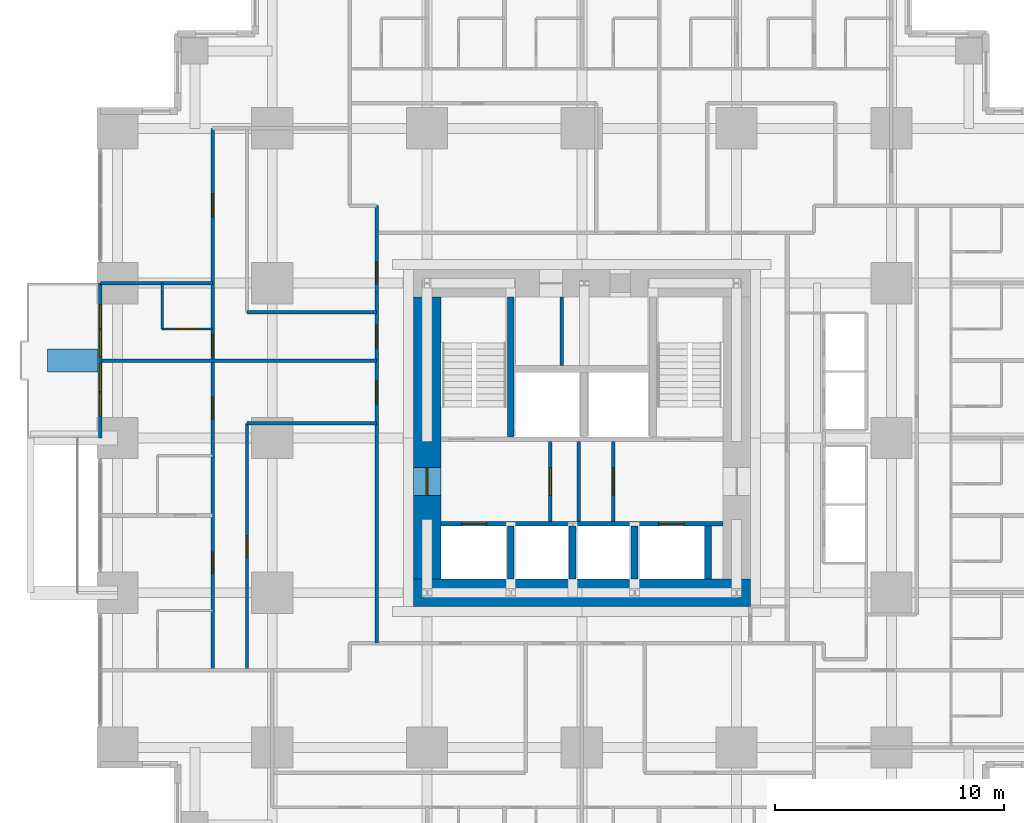
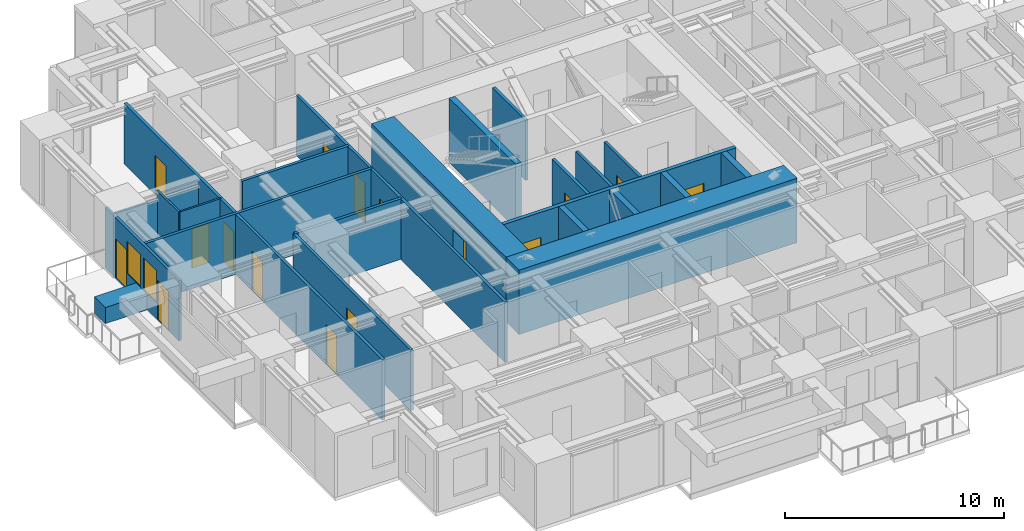
# One storey, part 9 of 14: 23 walls, 16 doors, 2 windows, 18 openings.
"""IFC4 building model written with IfcOpenShell, lengths in metres."""

from ifc_helpers import new_model, si_unit, direction, frame, frame_2d, origin, place, context, subcontext, project, spatial, rectangle, extrude, material, layer, layer_set, type_object, element, fill, save


model = new_model("IFC4")

# Units and contexts
model_context = context("Model", 3, precision=1e-05, world=origin(), true_north=direction((0.0, 1.0)))
body_context = subcontext(model_context, "Body", "Model", "MODEL_VIEW")
ifc_project = project(units=[si_unit("LENGTHUNIT", "METRE"), si_unit("AREAUNIT", "SQUARE_METRE"), si_unit("VOLUMEUNIT", "CUBIC_METRE"), si_unit("PLANEANGLEUNIT", "RADIAN"), si_unit("MASSUNIT", "GRAM", prefix="KILO")], contexts=[model_context])

# Site, building, storey
site_placement = place(None, origin())
site = spatial("IfcSite", under=ifc_project, at=site_placement, CompositionType="ELEMENT")
building_placement = place(site_placement, origin())
building = spatial("IfcBuilding", under=site, at=building_placement, Name="Nyansa Garden Tower", CompositionType="ELEMENT")
storey_placement = place(building_placement, frame((0.0, 0.0, 57.60009765625)))
storey = spatial("IfcBuildingStorey", under=building, at=storey_placement, Name="L15", CompositionType="ELEMENT", Elevation=57.60009765625)

# Wall, openings, doors, windows
ifc_material_1 = material(Name="Black aluminium framed glazed screen", Category="aluminium")
ifc_layer_1 = layer(ifc_material_1, 0.14990234375)
ifc_layer_set_1 = layer_set([ifc_layer_1], Name="Balcony screen wall BW150")
wall_type_1 = type_object("IfcWallType", Name="Balcony screen wall BW150", PredefinedType="SOLIDWALL", material=ifc_layer_set_1)
wall_1_placement = place(storey_placement, frame((-0.75, 20.25, 0.0), z_axis=(0.0, 0.0, 1.0), x_axis=(0.0, 1.0, 0.0)))
wall_1 = element("IfcWall", 1, at=wall_1_placement, inside=storey, type_object=wall_type_1, Name="Glazed screen wall L15 W", PredefinedType="SOLIDWALL", context=body_context, shape_type="SweptSolid", body=[
    extrude(rectangle(XDim=6.75, YDim=0.14990234375, at=frame_2d((3.375, 0.0))), origin(), (0.0, 0.0, 1.0), 3.375),
])
opening_1_placement = place(wall_1_placement, frame((0.96240234375, 0.0, 0.0)))
opening_1 = element("IfcOpeningElement", 2, at=opening_1_placement, cuts=wall_1, Name="Opening D20", PredefinedType="OPENING", context=body_context, shape_type="SweptSolid", body=[
    extrude(rectangle(XDim=1.0, YDim=2.199951171875, at=frame_2d((0.5, 1.10009765625))), frame((0.0, 0.0849609375, 0.0), z_axis=(0.0, -1.0, 0.0), x_axis=(1.0, 0.0, 0.0)), (0.0, 0.0, 1.0), 0.169921875),
])
opening_2_placement = place(wall_1_placement, frame((2.02490234375, 0.0, 0.89990234375)))
opening_2 = element("IfcOpeningElement", 3, at=opening_2_placement, cuts=wall_1, Name="Opening W6", PredefinedType="OPENING", context=body_context, shape_type="SweptSolid", body=[
    extrude(rectangle(XDim=1.199951171875, YDim=1.800048828125, at=frame_2d((0.60009765625, 0.89990234375))), frame((0.0, 0.0849609375, 0.0), z_axis=(0.0, -1.0, 0.0), x_axis=(1.0, 0.0, 0.0)), (0.0, 0.0, 1.0), 0.169921875),
])
opening_3_placement = place(wall_1_placement, frame((4.78759765625, 0.0, 0.0)))
opening_3 = element("IfcOpeningElement", 4, at=opening_3_placement, cuts=wall_1, Name="Opening D20", PredefinedType="OPENING", context=body_context, shape_type="SweptSolid", body=[
    extrude(rectangle(XDim=1.0, YDim=2.199951171875, at=frame_2d((0.5, 1.10009765625))), frame((0.0, 0.0849609375, 0.0), z_axis=(0.0, -1.0, 0.0), x_axis=(1.0, 0.0, 0.0)), (0.0, 0.0, 1.0), 0.169921875),
])
opening_4_placement = place(wall_1_placement, frame((3.52490234375, 0.0, 0.89990234375)))
opening_4 = element("IfcOpeningElement", 5, at=opening_4_placement, cuts=wall_1, Name="Opening W6", PredefinedType="OPENING", context=body_context, shape_type="SweptSolid", body=[
    extrude(rectangle(XDim=1.199951171875, YDim=1.800048828125, at=frame_2d((0.60009765625, 0.89990234375))), frame((0.0, 0.0849609375, 0.0), z_axis=(0.0, -1.0, 0.0), x_axis=(1.0, 0.0, 0.0)), (0.0, 0.0, 1.0), 0.169921875),
])
ifc_material_2 = material(Name="Black aluminium framed glazed door", Category="aluminium")
door_type_1 = type_object("IfcDoorType", Name="Balcony door D20 1000x2200", OperationType="NOTDEFINED", PredefinedType="DOOR", material=ifc_material_2)
door_1_placement = place(opening_1_placement, origin())
door_1 = element("IfcDoor", 6, at=door_1_placement, inside=storey, type_object=door_type_1, Name="Balcony door L15", OperationType="SINGLE_SWING_LEFT", OverallHeight=2.199951171875, OverallWidth=1.0, PredefinedType="DOOR", context=body_context, shape_type="SweptSolid", body=[
    extrude(rectangle(XDim=1.0, YDim=2.199951171875, at=frame_2d((0.5, 1.10009765625))), frame((0.0, 0.02490234375, 0.0), z_axis=(0.0, -1.0, 0.0), x_axis=(1.0, 0.0, 0.0)), (0.0, 0.0, 1.0), 0.050048828125),
])
fill(opening_1, door_1)
door_2_placement = place(opening_3_placement, origin())
door_2 = element("IfcDoor", 7, at=door_2_placement, inside=storey, type_object=door_type_1, Name="Balcony door L15", OperationType="SINGLE_SWING_RIGHT", OverallHeight=2.199951171875, OverallWidth=1.0, PredefinedType="DOOR", context=body_context, shape_type="SweptSolid", body=[
    extrude(rectangle(XDim=1.0, YDim=2.199951171875, at=frame_2d((0.5, 1.10009765625))), frame((0.0, 0.02490234375, 0.0), z_axis=(0.0, -1.0, 0.0), x_axis=(1.0, 0.0, 0.0)), (0.0, 0.0, 1.0), 0.050048828125),
])
fill(opening_3, door_2)
ifc_material_3 = material(Name="Black aluminium frame, dark tinted double glazing", Category="aluminium")
window_type = type_object("IfcWindowType", Name="Balcony window W6 1200x1800", PartitioningType="SINGLE_PANEL", PredefinedType="WINDOW", material=ifc_material_3)
window_1_placement = place(opening_2_placement, origin())
window_1 = element("IfcWindow", 8, at=window_1_placement, inside=storey, type_object=window_type, Name="Window L15", OverallHeight=1.800048828125, OverallWidth=1.199951171875, PartitioningType="SINGLE_PANEL", PredefinedType="WINDOW", context=body_context, shape_type="SweptSolid", body=[
    extrude(rectangle(XDim=1.199951171875, YDim=1.800048828125, at=frame_2d((0.60009765625, 0.89990234375))), frame((0.0, 0.030029296875, 0.0), z_axis=(0.0, -1.0, 0.0), x_axis=(1.0, 0.0, 0.0)), (0.0, 0.0, 1.0), 0.06005859375),
])
fill(opening_2, window_1)
window_2_placement = place(opening_4_placement, origin())
window_2 = element("IfcWindow", 9, at=window_2_placement, inside=storey, type_object=window_type, Name="Window L15", OverallHeight=1.800048828125, OverallWidth=1.199951171875, PartitioningType="SINGLE_PANEL", PredefinedType="WINDOW", context=body_context, shape_type="SweptSolid", body=[
    extrude(rectangle(XDim=1.199951171875, YDim=1.800048828125, at=frame_2d((0.60009765625, 0.89990234375))), frame((0.0, 0.030029296875, 0.0), z_axis=(0.0, -1.0, 0.0), x_axis=(1.0, 0.0, 0.0)), (0.0, 0.0, 1.0), 0.06005859375),
])
fill(opening_4, window_2)

# Wall, openings, doors
ifc_material_4 = material(Name="Concrete C70/85", Category="concrete")
ifc_layer_2 = layer(ifc_material_4, 0.199951171875)
ifc_layer_set_2 = layer_set([ifc_layer_2], Name="Core inner wall CI200")
wall_type_2 = type_object("IfcWallType", Name="Core inner wall CI200", PredefinedType="SHEAR", material=ifc_layer_set_2)
wall_2_placement = place(storey_placement, frame((14.10009765625, 16.5, 0.0), z_axis=(0.0, 0.0, 1.0), x_axis=(1.0, 0.0, 0.0)))
wall_2 = element("IfcWall", 10, at=wall_2_placement, inside=storey, type_object=wall_type_2, Name="Core inner wall L15", PredefinedType="SHEAR", context=body_context, shape_type="SweptSolid", body=[
    extrude(rectangle(XDim=12.2998046875, YDim=0.199951171875, at=frame_2d((6.14990234375, 0.0))), origin(), (0.0, 0.0, 1.0), 3.599853515625),
])
opening_5_placement = place(wall_2_placement, frame((0.89990234375, 0.0, 0.0)))
opening_5 = element("IfcOpeningElement", 11, at=opening_5_placement, cuts=wall_2, Name="Opening LD-F", PredefinedType="OPENING", context=body_context, shape_type="SweptSolid", body=[
    extrude(rectangle(XDim=1.10009765625, YDim=2.199951171875, at=frame_2d((0.550048828125, 1.10009765625))), frame((0.0, 0.10986328125, 0.0), z_axis=(0.0, -1.0, 0.0), x_axis=(1.0, 0.0, 0.0)), (0.0, 0.0, 1.0), 0.219970703125),
])
opening_6_placement = place(wall_2_placement, frame((9.5, 0.0, 0.0)))
opening_6 = element("IfcOpeningElement", 12, at=opening_6_placement, cuts=wall_2, Name="Opening LD-F", PredefinedType="OPENING", context=body_context, shape_type="SweptSolid", body=[
    extrude(rectangle(XDim=1.10009765625, YDim=2.199951171875, at=frame_2d((0.550048828125, 1.10009765625))), frame((0.0, 0.10986328125, 0.0), z_axis=(0.0, -1.0, 0.0), x_axis=(1.0, 0.0, 0.0)), (0.0, 0.0, 1.0), 0.219970703125),
])
ifc_material_5 = material(Name="Stainless steel centre-opening landing door of the firefighting lift, EN 81-72, E 120", Category="steel")
door_type_2 = type_object("IfcDoorType", Name="Lift landing door LD-F 1100x2200", OperationType="DOUBLE_DOOR_SLIDING", PredefinedType="DOOR", material=ifc_material_5)
door_3_placement = place(opening_5_placement, origin())
door_3 = element("IfcDoor", 13, at=door_3_placement, inside=storey, type_object=door_type_2, Name="Landing door FF1", OperationType="DOUBLE_DOOR_SLIDING", OverallHeight=2.199951171875, OverallWidth=1.10009765625, PredefinedType="DOOR", context=body_context, shape_type="SweptSolid", body=[
    extrude(rectangle(XDim=1.10009765625, YDim=2.199951171875, at=frame_2d((0.550048828125, 1.10009765625))), frame((0.0, 0.02490234375, 0.0), z_axis=(0.0, -1.0, 0.0), x_axis=(1.0, 0.0, 0.0)), (0.0, 0.0, 1.0), 0.050048828125),
])
fill(opening_5, door_3)
door_4_placement = place(opening_6_placement, origin())
door_4 = element("IfcDoor", 14, at=door_4_placement, inside=storey, type_object=door_type_2, Name="Landing door FF2", OperationType="DOUBLE_DOOR_SLIDING", OverallHeight=2.199951171875, OverallWidth=1.10009765625, PredefinedType="DOOR", context=body_context, shape_type="SweptSolid", body=[
    extrude(rectangle(XDim=1.10009765625, YDim=2.199951171875, at=frame_2d((0.550048828125, 1.10009765625))), frame((0.0, 0.02490234375, 0.0), z_axis=(0.0, -1.0, 0.0), x_axis=(1.0, 0.0, 0.0)), (0.0, 0.0, 1.0), 0.050048828125),
])
fill(opening_6, door_4)

# Walls
ifc_material_6 = material(Name="Concrete C70/85", Category="concrete")
ifc_layer_3 = layer(ifc_material_6, 0.300048828125)
ifc_layer_set_3 = layer_set([ifc_layer_3], Name="Core inner wall CI300")
wall_type_3 = type_object("IfcWallType", Name="Core inner wall CI300", PredefinedType="SHEAR", material=ifc_layer_set_3)
wall_3_placement = place(storey_placement, frame((17.14990234375, 20.300048828125, 0.0), z_axis=(0.0, 0.0, 1.0), x_axis=(0.0, 1.0, 0.0)))
element("IfcWall", 15, at=wall_3_placement, inside=storey, type_object=wall_type_3, Name="Core inner wall L15", PredefinedType="SHEAR", context=body_context, shape_type="SweptSolid", body=[
    extrude(rectangle(XDim=6.099853515625, YDim=0.300048828125, at=frame_2d((3.0498046875, 0.0))), origin(), (0.0, 0.0, 1.0), 3.599853515625),
])
for number, where, z_axis, x_axis, name in (
    (16, (17.14990234375, 14.10009765625, 0.0), (0.0, 0.0, 1.0), (0.0, 1.0, 0.0), "Core inner wall L15"),
    (17, (19.85009765625, 14.10009765625, 0.0), (0.0, 0.0, 1.0), (0.0, 1.0, 0.0), "Core inner wall L15"),
    (18, (22.550048828125, 14.10009765625, 0.0), (0.0, 0.0, 1.0), (0.0, 1.0, 0.0), "Core inner wall L15"),
    (19, (25.75, 14.10009765625, 0.0), (0.0, 0.0, 1.0), (0.0, 1.0, 0.0), "Core inner wall L15"),
):
    element("IfcWall", number, at=place(storey_placement, frame(where, z_axis=z_axis, x_axis=x_axis)), inside=storey, type_object=wall_type_3, Name=name, PredefinedType="SHEAR", context=body_context, shape_type="SweptSolid", body=[
        extrude(rectangle(XDim=2.2998046875, YDim=0.300048828125, at=frame_2d((1.14990234375, 0.0))), origin(), (0.0, 0.0, 1.0), 3.599853515625),
    ])
ifc_material_7 = material(Name="Concrete C80/95", Category="concrete")
ifc_layer_4 = layer(ifc_material_7, 1.199951171875)
ifc_layer_set_4 = layer_set([ifc_layer_4], Name="Core wall CW1200")
wall_type_4 = type_object("IfcWallType", Name="Core wall CW1200", PredefinedType="SHEAR", material=ifc_layer_set_4)
wall_4_placement = place(storey_placement, frame((12.89990234375, 13.5, 0.0), z_axis=(0.0, 0.0, 1.0), x_axis=(1.0, 0.0, 0.0)))
element("IfcWall", 20, at=wall_4_placement, inside=storey, type_object=wall_type_4, Name="Core wall S L15", PredefinedType="SHEAR", context=body_context, shape_type="SweptSolid", body=[
    extrude(rectangle(XDim=14.7001953125, YDim=1.199951171875, at=frame_2d((7.35009765625, 0.0))), origin(), (0.0, 0.0, 1.0), 3.599853515625),
])

# Wall, opening, door
wall_5_placement = place(storey_placement, frame((13.5, 26.39990234375, 0.0), z_axis=(0.0, 0.0, 1.0), x_axis=(0.0, -1.0, 0.0)))
wall_5 = element("IfcWall", 21, at=wall_5_placement, inside=storey, type_object=wall_type_4, Name="Core wall W L15", PredefinedType="SHEAR", context=body_context, shape_type="SweptSolid", body=[
    extrude(rectangle(XDim=12.2998046875, YDim=1.199951171875, at=frame_2d((6.14990234375, 0.0))), origin(), (0.0, 0.0, 1.0), 3.599853515625),
])
opening_7_placement = place(wall_5_placement, frame((7.449951171875, 0.0, 0.0)))
opening_7 = element("IfcOpeningElement", 22, at=opening_7_placement, cuts=wall_5, Name="Opening D06", PredefinedType="OPENING", context=body_context, shape_type="SweptSolid", body=[
    extrude(rectangle(XDim=1.199951171875, YDim=2.199951171875, at=frame_2d((0.60009765625, 1.10009765625))), frame((0.0, 0.60986328125, 0.0), z_axis=(0.0, -1.0, 0.0), x_axis=(1.0, 0.0, 0.0)), (0.0, 0.0, 1.0), 1.219970703125),
])
ifc_material_8 = material(Name="Steel door, 120 minute fire resisting", Category="steel")
door_type_3 = type_object("IfcDoorType", Name="Lobby door D06 1200x2200", OperationType="DOUBLE_DOOR_SINGLE_SWING", PredefinedType="DOOR", material=ifc_material_8)
door_5_placement = place(opening_7_placement, origin())
door_5 = element("IfcDoor", 23, at=door_5_placement, inside=storey, type_object=door_type_3, Name="Lift lobby door west", OperationType="DOUBLE_DOOR_SINGLE_SWING", OverallHeight=2.199951171875, OverallWidth=1.199951171875, PredefinedType="DOOR", context=body_context, shape_type="SweptSolid", body=[
    extrude(rectangle(XDim=1.199951171875, YDim=2.199951171875, at=frame_2d((0.60009765625, 1.10009765625))), frame((0.0, 0.02490234375, 0.0), z_axis=(0.0, -1.0, 0.0), x_axis=(1.0, 0.0, 0.0)), (0.0, 0.0, 1.0), 0.050048828125),
])
fill(opening_7, door_5)

ifc_material_9 = material(Name="Blockwork, plastered both sides", Category="masonry")
ifc_layer_5 = layer(ifc_material_9, 0.14990234375)
ifc_layer_set_5 = layer_set([ifc_layer_5], Name="Partition PW150")
wall_type_5 = type_object("IfcWallType", Name="Partition PW150", PredefinedType="PARTITIONING", material=ifc_layer_set_5)
wall_6_placement = place(storey_placement, frame((18.875, 16.60009765625, 0.0), z_axis=(0.0, 0.0, 1.0), x_axis=(0.0, 1.0, 0.0)))
wall_6 = element("IfcWall", 24, at=wall_6_placement, inside=storey, type_object=wall_type_5, Name="Partition", PredefinedType="PARTITIONING", context=body_context, shape_type="SweptSolid", body=[
    extrude(rectangle(XDim=3.5, YDim=0.14990234375, at=frame_2d((1.75, 0.0))), origin(), (0.0, 0.0, 1.0), 3.375),
])
opening_8_placement = place(wall_6_placement, frame((1.14990234375, 0.0, 0.0)))
opening_8 = element("IfcOpeningElement", 25, at=opening_8_placement, cuts=wall_6, Name="Opening D06", PredefinedType="OPENING", context=body_context, shape_type="SweptSolid", body=[
    extrude(rectangle(XDim=1.199951171875, YDim=2.199951171875, at=frame_2d((0.60009765625, 1.10009765625))), frame((0.0, 0.0849609375, 0.0), z_axis=(0.0, -1.0, 0.0), x_axis=(1.0, 0.0, 0.0)), (0.0, 0.0, 1.0), 0.169921875),
])
door_6_placement = place(opening_8_placement, origin())
door_6 = element("IfcDoor", 26, at=door_6_placement, inside=storey, type_object=door_type_3, Name="Passenger lift lobby door", OperationType="DOUBLE_DOOR_SINGLE_SWING", OverallHeight=2.199951171875, OverallWidth=1.199951171875, PredefinedType="DOOR", context=body_context, shape_type="SweptSolid", body=[
    extrude(rectangle(XDim=1.199951171875, YDim=2.199951171875, at=frame_2d((0.60009765625, 1.10009765625))), frame((0.0, 0.02490234375, 0.0), z_axis=(0.0, -1.0, 0.0), x_axis=(1.0, 0.0, 0.0)), (0.0, 0.0, 1.0), 0.050048828125),
])
fill(opening_8, door_6)

wall_7_placement = place(storey_placement, frame((21.625, 16.60009765625, 0.0), z_axis=(0.0, 0.0, 1.0), x_axis=(0.0, 1.0, 0.0)))
wall_7 = element("IfcWall", 27, at=wall_7_placement, inside=storey, type_object=wall_type_5, Name="Partition", PredefinedType="PARTITIONING", context=body_context, shape_type="SweptSolid", body=[
    extrude(rectangle(XDim=3.5, YDim=0.14990234375, at=frame_2d((1.75, 0.0))), origin(), (0.0, 0.0, 1.0), 3.375),
])
opening_9_placement = place(wall_7_placement, frame((1.14990234375, 0.0, 0.0)))
opening_9 = element("IfcOpeningElement", 28, at=opening_9_placement, cuts=wall_7, Name="Opening D06", PredefinedType="OPENING", context=body_context, shape_type="SweptSolid", body=[
    extrude(rectangle(XDim=1.199951171875, YDim=2.199951171875, at=frame_2d((0.60009765625, 1.10009765625))), frame((0.0, 0.0849609375, 0.0), z_axis=(0.0, -1.0, 0.0), x_axis=(1.0, 0.0, 0.0)), (0.0, 0.0, 1.0), 0.169921875),
])
door_7_placement = place(opening_9_placement, origin())
door_7 = element("IfcDoor", 29, at=door_7_placement, inside=storey, type_object=door_type_3, Name="Passenger lift lobby door", OperationType="DOUBLE_DOOR_SINGLE_SWING", OverallHeight=2.199951171875, OverallWidth=1.199951171875, PredefinedType="DOOR", context=body_context, shape_type="SweptSolid", body=[
    extrude(rectangle(XDim=1.199951171875, YDim=2.199951171875, at=frame_2d((0.60009765625, 1.10009765625))), frame((0.0, 0.02490234375, 0.0), z_axis=(0.0, -1.0, 0.0), x_axis=(1.0, 0.0, 0.0)), (0.0, 0.0, 1.0), 0.050048828125),
])
fill(opening_9, door_7)

# Walls
wall_8_placement = place(storey_placement, frame((20.1201171875, 16.60009765625, 0.0), z_axis=(0.0, 0.0, 1.0), x_axis=(0.0, 1.0, 0.0)))
element("IfcWall", 30, at=wall_8_placement, inside=storey, type_object=wall_type_5, Name="Partition", PredefinedType="PARTITIONING", context=body_context, shape_type="SweptSolid", body=[
    extrude(rectangle(XDim=3.5, YDim=0.14990234375, at=frame_2d((1.75, 0.0))), origin(), (0.0, 0.0, 1.0), 3.375),
])
wall_9_placement = place(storey_placement, frame((19.375, 23.39990234375, 0.0), z_axis=(0.0, 0.0, 1.0), x_axis=(0.0, 1.0, 0.0)))
element("IfcWall", 31, at=wall_9_placement, inside=storey, type_object=wall_type_5, Name="Partition", PredefinedType="PARTITIONING", context=body_context, shape_type="SweptSolid", body=[
    extrude(rectangle(XDim=3.0, YDim=0.14990234375, at=frame_2d((1.5, 0.0))), origin(), (0.0, 0.0, 1.0), 3.375),
])
wall_10_placement = place(storey_placement, frame((-0.73388671875, 23.625, 0.0), z_axis=(0.0, 0.0, 1.0), x_axis=(1.0, 0.0, 0.0)))
element("IfcWall", 32, at=wall_10_placement, inside=storey, type_object=wall_type_5, Name="Partition", PredefinedType="PARTITIONING", context=body_context, shape_type="SweptSolid", body=[
    extrude(rectangle(XDim=12.033935546875, YDim=0.14990234375, at=frame_2d((6.01708984375, 0.0))), origin(), (0.0, 0.0, 1.0), 3.375),
])
wall_11_placement = place(storey_placement, frame((-0.73388671875, 27.0, 0.0), z_axis=(0.0, 0.0, 1.0), x_axis=(1.0, 0.0, 0.0)))
element("IfcWall", 33, at=wall_11_placement, inside=storey, type_object=wall_type_5, Name="Partition", PredefinedType="PARTITIONING", context=body_context, shape_type="SweptSolid", body=[
    extrude(rectangle(XDim=4.8837890625, YDim=0.14990234375, at=frame_2d((2.44189453125, 0.0))), origin(), (0.0, 0.0, 1.0), 2.876953125),
])

# Wall, openings, doors
wall_12_placement = place(storey_placement, frame((4.14990234375, 10.125, 0.0), z_axis=(0.0, 0.0, 1.0), x_axis=(0.0, 1.0, 0.0)))
wall_12 = element("IfcWall", 34, at=wall_12_placement, inside=storey, type_object=wall_type_5, Name="Partition", PredefinedType="PARTITIONING", context=body_context, shape_type="SweptSolid", body=[
    extrude(rectangle(XDim=23.625, YDim=0.14990234375, at=frame_2d((11.8125, 0.0))), origin(), (0.0, 0.0, 1.0), 3.375),
])
opening_10_placement = place(wall_12_placement, frame((19.77490234375, 0.0, 0.0)))
opening_10 = element("IfcOpeningElement", 35, at=opening_10_placement, cuts=wall_12, Name="Opening D03", PredefinedType="OPENING", context=body_context, shape_type="SweptSolid", body=[
    extrude(rectangle(XDim=1.0, YDim=2.199951171875, at=frame_2d((0.5, 1.10009765625))), frame((0.0, 0.0849609375, 0.0), z_axis=(0.0, -1.0, 0.0), x_axis=(1.0, 0.0, 0.0)), (0.0, 0.0, 1.0), 0.169921875),
])
opening_11_placement = place(wall_12_placement, frame((13.699951171875, 0.0, 0.0)))
opening_11 = element("IfcOpeningElement", 36, at=opening_11_placement, cuts=wall_12, Name="Opening D01", PredefinedType="OPENING", context=body_context, shape_type="SweptSolid", body=[
    extrude(rectangle(XDim=0.949951171875, YDim=2.199951171875, at=frame_2d((0.47509765625, 1.10009765625))), frame((0.0, 0.0849609375, 0.0), z_axis=(0.0, -1.0, 0.0), x_axis=(1.0, 0.0, 0.0)), (0.0, 0.0, 1.0), 0.169921875),
])
opening_12_placement = place(wall_12_placement, frame((4.199951171875, 0.0, 0.0)))
opening_12 = element("IfcOpeningElement", 37, at=opening_12_placement, cuts=wall_12, Name="Opening D14", PredefinedType="OPENING", context=body_context, shape_type="SweptSolid", body=[
    extrude(rectangle(XDim=0.949951171875, YDim=2.199951171875, at=frame_2d((0.47509765625, 1.10009765625))), frame((0.0, 0.0849609375, 0.0), z_axis=(0.0, -1.0, 0.0), x_axis=(1.0, 0.0, 0.0)), (0.0, 0.0, 1.0), 0.169921875),
])
opening_13_placement = place(wall_12_placement, frame((10.949951171875, 0.0, 0.0)))
opening_13 = element("IfcOpeningElement", 38, at=opening_13_placement, cuts=wall_12, Name="Opening D14", PredefinedType="OPENING", context=body_context, shape_type="SweptSolid", body=[
    extrude(rectangle(XDim=0.949951171875, YDim=2.199951171875, at=frame_2d((0.47509765625, 1.10009765625))), frame((0.0, 0.0849609375, 0.0), z_axis=(0.0, -1.0, 0.0), x_axis=(1.0, 0.0, 0.0)), (0.0, 0.0, 1.0), 0.169921875),
])
ifc_material_10 = material(Name="Timber flush door, 30 minute fire resisting", Category="wood")
door_type_4 = type_object("IfcDoorType", Name="Bedroom door D01 950x2200", OperationType="SINGLE_SWING_LEFT", PredefinedType="DOOR", material=ifc_material_10)
door_8_placement = place(opening_11_placement, origin())
door_8 = element("IfcDoor", 39, at=door_8_placement, inside=storey, type_object=door_type_4, Name="Door L15-069", OperationType="SINGLE_SWING_LEFT", OverallHeight=2.199951171875, OverallWidth=0.949951171875, PredefinedType="DOOR", context=body_context, shape_type="SweptSolid", body=[
    extrude(rectangle(XDim=0.949951171875, YDim=2.199951171875, at=frame_2d((0.47509765625, 1.10009765625))), frame((0.0, 0.02490234375, 0.0), z_axis=(0.0, -1.0, 0.0), x_axis=(1.0, 0.0, 0.0)), (0.0, 0.0, 1.0), 0.050048828125),
])
fill(opening_11, door_8)
ifc_material_11 = material(Name="Timber flush door, 60 minute fire resisting", Category="wood")
door_type_5 = type_object("IfcDoorType", Name="Cluster entrance door D03 1000x2200", OperationType="SINGLE_SWING_LEFT", PredefinedType="DOOR", material=ifc_material_11)
door_9_placement = place(opening_10_placement, origin())
door_9 = element("IfcDoor", 40, at=door_9_placement, inside=storey, type_object=door_type_5, Name="Door L15-068", OperationType="SINGLE_SWING_LEFT", OverallHeight=2.199951171875, OverallWidth=1.0, PredefinedType="DOOR", context=body_context, shape_type="SweptSolid", body=[
    extrude(rectangle(XDim=1.0, YDim=2.199951171875, at=frame_2d((0.5, 1.10009765625))), frame((0.0, 0.02490234375, 0.0), z_axis=(0.0, -1.0, 0.0), x_axis=(1.0, 0.0, 0.0)), (0.0, 0.0, 1.0), 0.050048828125),
])
fill(opening_10, door_9)
ifc_material_12 = material(Name="Timber flush door, 60 minute fire resisting, self-closing", Category="wood")
door_type_6 = type_object("IfcDoorType", Name="Studio entrance door D14 950x2200", OperationType="SINGLE_SWING_LEFT", PredefinedType="DOOR", material=ifc_material_12)
door_10_placement = place(opening_12_placement, origin())
door_10 = element("IfcDoor", 41, at=door_10_placement, inside=storey, type_object=door_type_6, Name="Door L15-072", OperationType="SINGLE_SWING_LEFT", OverallHeight=2.199951171875, OverallWidth=0.949951171875, PredefinedType="DOOR", context=body_context, shape_type="SweptSolid", body=[
    extrude(rectangle(XDim=0.949951171875, YDim=2.199951171875, at=frame_2d((0.47509765625, 1.10009765625))), frame((0.0, 0.02490234375, 0.0), z_axis=(0.0, -1.0, 0.0), x_axis=(1.0, 0.0, 0.0)), (0.0, 0.0, 1.0), 0.050048828125),
])
fill(opening_12, door_10)
door_11_placement = place(opening_13_placement, origin())
door_11 = element("IfcDoor", 42, at=door_11_placement, inside=storey, type_object=door_type_6, Name="Door L15-074", OperationType="SINGLE_SWING_LEFT", OverallHeight=2.199951171875, OverallWidth=0.949951171875, PredefinedType="DOOR", context=body_context, shape_type="SweptSolid", body=[
    extrude(rectangle(XDim=0.949951171875, YDim=2.199951171875, at=frame_2d((0.47509765625, 1.10009765625))), frame((0.0, 0.02490234375, 0.0), z_axis=(0.0, -1.0, 0.0), x_axis=(1.0, 0.0, 0.0)), (0.0, 0.0, 1.0), 0.050048828125),
])
fill(opening_13, door_11)

# Wall, opening, door
wall_13_placement = place(storey_placement, frame((5.64990234375, 10.125, 0.0), z_axis=(0.0, 0.0, 1.0), x_axis=(0.0, 1.0, 0.0)))
wall_13 = element("IfcWall", 43, at=wall_13_placement, inside=storey, type_object=wall_type_5, Name="Partition", PredefinedType="PARTITIONING", context=body_context, shape_type="SweptSolid", body=[
    extrude(rectangle(XDim=10.762451171875, YDim=0.14990234375, at=frame_2d((5.38134765625, 0.0))), origin(), (0.0, 0.0, 1.0), 3.375),
])
opening_14_placement = place(wall_13_placement, frame((4.89990234375, 0.0, 0.0)))
opening_14 = element("IfcOpeningElement", 44, at=opening_14_placement, cuts=wall_13, Name="Opening D01", PredefinedType="OPENING", context=body_context, shape_type="SweptSolid", body=[
    extrude(rectangle(XDim=0.949951171875, YDim=2.199951171875, at=frame_2d((0.47509765625, 1.10009765625))), frame((0.0, 0.0849609375, 0.0), z_axis=(0.0, -1.0, 0.0), x_axis=(1.0, 0.0, 0.0)), (0.0, 0.0, 1.0), 0.169921875),
])
door_12_placement = place(opening_14_placement, origin())
door_12 = element("IfcDoor", 45, at=door_12_placement, inside=storey, type_object=door_type_4, Name="Door L15-078", OperationType="SINGLE_SWING_LEFT", OverallHeight=2.199951171875, OverallWidth=0.949951171875, PredefinedType="DOOR", context=body_context, shape_type="SweptSolid", body=[
    extrude(rectangle(XDim=0.949951171875, YDim=2.199951171875, at=frame_2d((0.47509765625, 1.10009765625))), frame((0.0, 0.02490234375, 0.0), z_axis=(0.0, -1.0, 0.0), x_axis=(1.0, 0.0, 0.0)), (0.0, 0.0, 1.0), 0.050048828125),
])
fill(opening_14, door_12)

# Walls
for number, where, z_axis, x_axis, name in (
    (46, (5.64990234375, 20.886962890625, 0.0), (0.0, 0.0, 1.0), (1.0, 0.0, 0.0), "Partition"),
    (47, (5.64990234375, 25.72509765625, 0.0), (0.0, 0.0, 1.0), (1.0, 0.0, 0.0), "Partition"),
):
    element("IfcWall", number, at=place(storey_placement, frame(where, z_axis=z_axis, x_axis=x_axis)), inside=storey, type_object=wall_type_5, Name=name, PredefinedType="PARTITIONING", context=body_context, shape_type="SweptSolid", body=[
        extrude(rectangle(XDim=5.650146484375, YDim=0.14990234375, at=frame_2d((2.8251953125, 0.0))), origin(), (0.0, 0.0, 1.0), 3.375),
    ])

# Wall, openings, doors
wall_14_placement = place(storey_placement, frame((11.300048828125, 11.300048828125, 0.0), z_axis=(0.0, 0.0, 1.0), x_axis=(0.0, 1.0, 0.0)))
wall_14 = element("IfcWall", 48, at=wall_14_placement, inside=storey, type_object=wall_type_5, Name="Partition", PredefinedType="PARTITIONING", context=body_context, shape_type="SweptSolid", body=[
    extrude(rectangle(XDim=19.074951171875, YDim=0.14990234375, at=frame_2d((9.53759765625, 0.0))), origin(), (0.0, 0.0, 1.0), 3.375),
])
opening_15_placement = place(wall_14_placement, frame((12.875, 0.0, 0.0)))
opening_15 = element("IfcOpeningElement", 49, at=opening_15_placement, cuts=wall_14, Name="Opening D03", PredefinedType="OPENING", context=body_context, shape_type="SweptSolid", body=[
    extrude(rectangle(XDim=1.0, YDim=2.199951171875, at=frame_2d((0.5, 1.10009765625))), frame((0.0, 0.0849609375, 0.0), z_axis=(0.0, -1.0, 0.0), x_axis=(1.0, 0.0, 0.0)), (0.0, 0.0, 1.0), 0.169921875),
])
opening_16_placement = place(wall_14_placement, frame((10.4375, 0.0, 0.0)))
opening_16 = element("IfcOpeningElement", 50, at=opening_16_placement, cuts=wall_14, Name="Opening D03", PredefinedType="OPENING", context=body_context, shape_type="SweptSolid", body=[
    extrude(rectangle(XDim=1.0, YDim=2.199951171875, at=frame_2d((0.5, 1.10009765625))), frame((0.0, 0.0849609375, 0.0), z_axis=(0.0, -1.0, 0.0), x_axis=(1.0, 0.0, 0.0)), (0.0, 0.0, 1.0), 0.169921875),
])
opening_17_placement = place(wall_14_placement, frame((15.675048828125, 0.0, 0.0)))
opening_17 = element("IfcOpeningElement", 51, at=opening_17_placement, cuts=wall_14, Name="Opening D01", PredefinedType="OPENING", context=body_context, shape_type="SweptSolid", body=[
    extrude(rectangle(XDim=0.949951171875, YDim=2.199951171875, at=frame_2d((0.47509765625, 1.10009765625))), frame((0.0, 0.0849609375, 0.0), z_axis=(0.0, -1.0, 0.0), x_axis=(1.0, 0.0, 0.0)), (0.0, 0.0, 1.0), 0.169921875),
])
door_13_placement = place(opening_17_placement, origin())
door_13 = element("IfcDoor", 52, at=door_13_placement, inside=storey, type_object=door_type_4, Name="Door L15-077", OperationType="SINGLE_SWING_LEFT", OverallHeight=2.199951171875, OverallWidth=0.949951171875, PredefinedType="DOOR", context=body_context, shape_type="SweptSolid", body=[
    extrude(rectangle(XDim=0.949951171875, YDim=2.199951171875, at=frame_2d((0.47509765625, 1.10009765625))), frame((0.0, 0.02490234375, 0.0), z_axis=(0.0, -1.0, 0.0), x_axis=(1.0, 0.0, 0.0)), (0.0, 0.0, 1.0), 0.050048828125),
])
fill(opening_17, door_13)
door_14_placement = place(opening_15_placement, origin())
door_14 = element("IfcDoor", 53, at=door_14_placement, inside=storey, type_object=door_type_5, Name="Door L15-071", OperationType="SINGLE_SWING_LEFT", OverallHeight=2.199951171875, OverallWidth=1.0, PredefinedType="DOOR", context=body_context, shape_type="SweptSolid", body=[
    extrude(rectangle(XDim=1.0, YDim=2.199951171875, at=frame_2d((0.5, 1.10009765625))), frame((0.0, 0.02490234375, 0.0), z_axis=(0.0, -1.0, 0.0), x_axis=(1.0, 0.0, 0.0)), (0.0, 0.0, 1.0), 0.050048828125),
])
fill(opening_15, door_14)
door_15_placement = place(opening_16_placement, origin())
door_15 = element("IfcDoor", 54, at=door_15_placement, inside=storey, type_object=door_type_5, Name="Door L15-076", OperationType="SINGLE_SWING_LEFT", OverallHeight=2.199951171875, OverallWidth=1.0, PredefinedType="DOOR", context=body_context, shape_type="SweptSolid", body=[
    extrude(rectangle(XDim=1.0, YDim=2.199951171875, at=frame_2d((0.5, 1.10009765625))), frame((0.0, 0.02490234375, 0.0), z_axis=(0.0, -1.0, 0.0), x_axis=(1.0, 0.0, 0.0)), (0.0, 0.0, 1.0), 0.050048828125),
])
fill(opening_16, door_15)

# Walls
ifc_material_13 = material(Name="Concrete C40/50 planter, waterproofed", Category="concrete")
ifc_layer_6 = layer(ifc_material_13, 1.0)
ifc_layer_set_6 = layer_set([ifc_layer_6], Name="Tree planter TP1")
wall_type_6 = type_object("IfcWallType", Name="Tree planter TP1", PredefinedType="USERDEFINED", material=ifc_layer_set_6)
wall_15_placement = place(storey_placement, frame((-0.85009765625, 23.625, 0.0), z_axis=(0.0, 0.0, 1.0), x_axis=(-1.0, 0.0, 0.0)))
element("IfcWall", 55, at=wall_15_placement, inside=storey, type_object=wall_type_6, Name="Tree planter L15", ObjectType="TREE PLANTER", PredefinedType="USERDEFINED", context=body_context, shape_type="SweptSolid", body=[
    extrude(rectangle(XDim=2.199951171875, YDim=1.0, at=frame_2d((1.10009765625, 0.0))), origin(), (0.0, 0.0, 1.0), 0.89990234375),
])
ifc_material_14 = material(Name="Moisture resistant board on steel studs, tiled", Category="steel")
ifc_layer_7 = layer(ifc_material_14, 0.10009765625)
ifc_layer_set_7 = layer_set([ifc_layer_7], Name="Wet wall PW100")
wall_type_7 = type_object("IfcWallType", Name="Wet wall PW100", PredefinedType="PARTITIONING", material=ifc_layer_set_7)
wall_16_placement = place(storey_placement, frame((1.949951171875, 25.0, 0.0), z_axis=(0.0, 0.0, 1.0), x_axis=(0.0, 1.0, 0.0)))
element("IfcWall", 56, at=wall_16_placement, inside=storey, type_object=wall_type_7, Name="Wet wall", PredefinedType="PARTITIONING", context=body_context, shape_type="SweptSolid", body=[
    extrude(rectangle(XDim=2.0, YDim=0.10009765625, at=frame_2d((1.0, 0.0))), origin(), (0.0, 0.0, 1.0), 3.375),
])

# Wall, opening, door
wall_17_placement = place(storey_placement, frame((1.949951171875, 25.0, 0.0), z_axis=(0.0, 0.0, 1.0), x_axis=(1.0, 0.0, 0.0)))
wall_17 = element("IfcWall", 57, at=wall_17_placement, inside=storey, type_object=wall_type_7, Name="Wet wall", PredefinedType="PARTITIONING", context=body_context, shape_type="SweptSolid", body=[
    extrude(rectangle(XDim=2.199951171875, YDim=0.10009765625, at=frame_2d((1.10009765625, 0.0))), origin(), (0.0, 0.0, 1.0), 3.375),
])
opening_18_placement = place(wall_17_placement, frame((0.64990234375, 0.0, 0.0)))
opening_18 = element("IfcOpeningElement", 58, at=opening_18_placement, cuts=wall_17, Name="Opening D02", PredefinedType="OPENING", context=body_context, shape_type="SweptSolid", body=[
    extrude(rectangle(XDim=0.89990234375, YDim=2.199951171875, at=frame_2d((0.449951171875, 1.10009765625))), frame((0.0, 0.06005859375, 0.0), z_axis=(0.0, -1.0, 0.0), x_axis=(1.0, 0.0, 0.0)), (0.0, 0.0, 1.0), 0.1201171875),
])
ifc_material_15 = material(Name="Timber flush door", Category="wood")
door_type_7 = type_object("IfcDoorType", Name="En-suite door D02 900x2200", OperationType="SINGLE_SWING_RIGHT", PredefinedType="DOOR", material=ifc_material_15)
door_16_placement = place(opening_18_placement, origin())
door_16 = element("IfcDoor", 59, at=door_16_placement, inside=storey, type_object=door_type_7, Name="Door L15-070", OperationType="SINGLE_SWING_RIGHT", OverallHeight=2.199951171875, OverallWidth=0.89990234375, PredefinedType="DOOR", context=body_context, shape_type="SweptSolid", body=[
    extrude(rectangle(XDim=0.89990234375, YDim=2.199951171875, at=frame_2d((0.449951171875, 1.10009765625))), frame((0.0, 0.02490234375, 0.0), z_axis=(0.0, -1.0, 0.0), x_axis=(1.0, 0.0, 0.0)), (0.0, 0.0, 1.0), 0.050048828125),
])
fill(opening_18, door_16)

save(model, "model.ifc")
